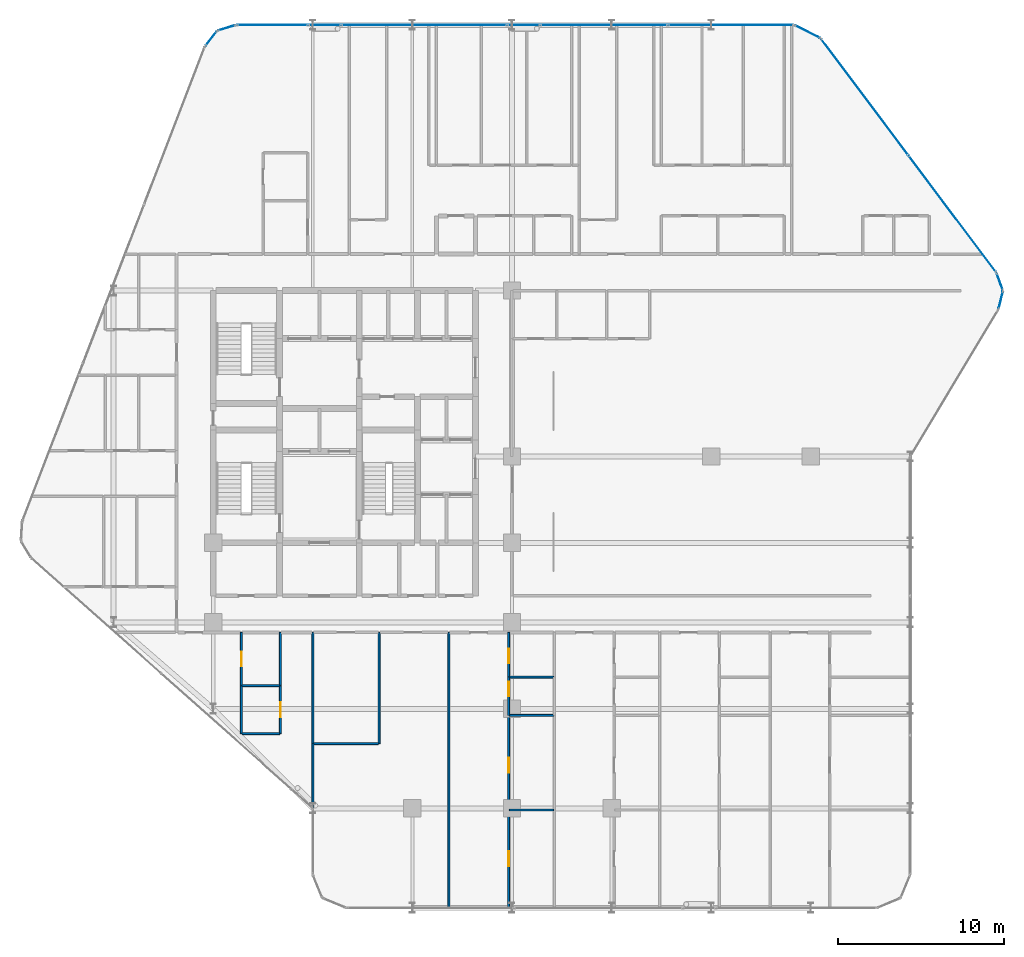
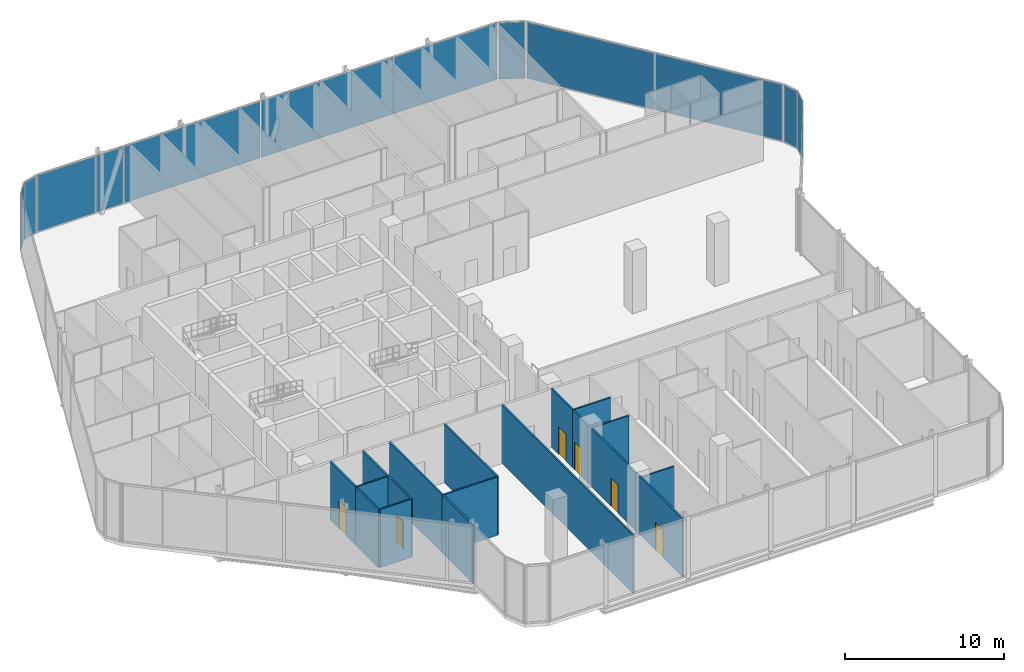
# One storey, part 22 of 29: 17 walls, 13 plates, 6 doors, 6 openings, 11 elements without a shape of their own.
"""IFC4 building model written with IfcOpenShell, lengths in metres."""

from ifc_helpers import new_model, si_unit, direction, frame, frame_2d, origin, origin_2d, place, context, subcontext, project, spatial, rectangle, extrude, material, layer, layer_set, type_object, element, fill, aggregate, save


model = new_model("IFC4")

# Units and contexts
model_context = context("Model", 3, precision=1e-05, world=origin(), true_north=direction((0.0, 1.0)))
body_context = subcontext(model_context, "Body", "Model", "MODEL_VIEW")
ifc_project = project(units=[si_unit("LENGTHUNIT", "METRE"), si_unit("AREAUNIT", "SQUARE_METRE"), si_unit("VOLUMEUNIT", "CUBIC_METRE"), si_unit("PLANEANGLEUNIT", "RADIAN"), si_unit("MASSUNIT", "GRAM", prefix="KILO")], contexts=[model_context])

# Site, building, storey
site_placement = place(None, origin())
site = spatial("IfcSite", under=ifc_project, at=site_placement, CompositionType="ELEMENT")
building_placement = place(site_placement, origin())
building = spatial("IfcBuilding", under=site, at=building_placement, Name="Keshet Zoharim Tower", CompositionType="ELEMENT")
storey_placement = place(building_placement, frame((0.0, 0.0, 120.5)))
storey = spatial("IfcBuildingStorey", under=building, at=storey_placement, Name="L29", CompositionType="ELEMENT", Elevation=120.5)

# Curtain wall, plate
ifc_material_1 = material(Name="Aluminium 6063-T6", Category="aluminium")
ifc_layer_1 = layer(ifc_material_1, 0.14990234375)
ifc_layer_set_1 = layer_set([ifc_layer_1], Name="Aluminium 6063-T6")
curtain_wall_type = type_object("IfcCurtainWallType", Name="CW-SYS-04", PredefinedType="NOTDEFINED", material=ifc_layer_set_1)
curtain_wall_1_placement = place(storey_placement, origin())
curtain_wall_1 = element("IfcCurtainWall", 1, at=curtain_wall_1_placement, inside=storey, type_object=curtain_wall_type, Name="L29 Unitised Curtain Wall 11", PredefinedType="NOTDEFINED")
ifc_material_2 = material(Name="Insulated Low-E Clear Glass", Category="glass")
ifc_layer_2 = layer(ifc_material_2, 0.035888671875)
ifc_layer_set_2 = layer_set([ifc_layer_2], Name="Insulated Low-E Clear Glass")
plate_type_1 = type_object("IfcPlateType", Name="CWP-01", PredefinedType="CURTAIN_PANEL", material=ifc_layer_set_2)
plate_1_placement = place(storey_placement, frame((14.8740234375, 53.08349609375, 0.06982421875), z_axis=(0.0, 0.0, 1.0), x_axis=(0.619124525989, 0.785292825205, 0.0)))
plate_1 = element("IfcPlate", 2, at=plate_1_placement, type_object=plate_type_1, Name="CW-04 panel 1.1", PredefinedType="CURTAIN_PANEL", context=body_context, shape_type="SweptSolid", body=[
    extrude(rectangle(XDim=1.045654296875, YDim=0.035888671875, at=origin_2d()), origin(), (0.0, 0.0, 1.0), 4.340087890625),
])
aggregate(curtain_wall_1, [plate_1])

curtain_wall_2_placement = place(storey_placement, origin())
curtain_wall_2 = element("IfcCurtainWall", 3, at=curtain_wall_2_placement, inside=storey, type_object=curtain_wall_type, Name="L29 Unitised Curtain Wall 12", PredefinedType="NOTDEFINED")
plate_2_placement = place(storey_placement, frame((15.8076171875, 53.724609375, 0.06982421875), z_axis=(0.0, 0.0, 1.0), x_axis=(0.955212151288, 0.295921857984, 0.0)))
plate_2 = element("IfcPlate", 4, at=plate_2_placement, type_object=plate_type_1, Name="CW-04 panel 1.1", PredefinedType="CURTAIN_PANEL", context=body_context, shape_type="SweptSolid", body=[
    extrude(rectangle(XDim=1.046142578125, YDim=0.035888671875, at=origin_2d()), origin(), (0.0, 0.0, 1.0), 4.340087890625),
])
aggregate(curtain_wall_2, [plate_2])

curtain_wall_3_placement = place(storey_placement, origin())
curtain_wall_3 = element("IfcCurtainWall", 5, at=curtain_wall_3_placement, inside=storey, type_object=curtain_wall_type, Name="L29 Unitised Curtain Wall 13", PredefinedType="NOTDEFINED")
plate_3_placement = place(storey_placement, frame((18.560302734375, 53.89990234375, 0.06982421875), z_axis=(0.0, 0.0, 1.0), x_axis=(1.0, 0.0, 0.0)))
plate_3 = element("IfcPlate", 6, at=plate_3_placement, type_object=plate_type_1, Name="CW-04 panel 1.1", PredefinedType="CURTAIN_PANEL", context=body_context, shape_type="SweptSolid", body=[
    extrude(rectangle(XDim=4.232421875, YDim=0.035888671875, at=origin_2d()), origin(), (0.0, 0.0, 1.0), 4.340087890625),
])
aggregate(curtain_wall_3, [plate_3])

curtain_wall_4_placement = place(storey_placement, origin())
curtain_wall_4 = element("IfcCurtainWall", 7, at=curtain_wall_4_placement, inside=storey, type_object=curtain_wall_type, Name="L29 Unitised Curtain Wall 13 Part 3", PredefinedType="NOTDEFINED")
plate_4_placement = place(storey_placement, frame((27.715087890625, 53.89990234375, 0.06982421875), z_axis=(0.0, 0.0, 1.0), x_axis=(1.0, 0.0, 0.0)))
plate_4 = element("IfcPlate", 8, at=plate_4_placement, type_object=plate_type_1, Name="CW-04 panel 1.1", PredefinedType="CURTAIN_PANEL", context=body_context, shape_type="SweptSolid", body=[
    extrude(rectangle(XDim=9.9228515625, YDim=0.035888671875, at=origin_2d()), origin(), (0.0, 0.0, 1.0), 4.340087890625),
])
aggregate(curtain_wall_4, [plate_4])

# Curtain wall, plates
curtain_wall_5_placement = place(storey_placement, origin())
curtain_wall_5 = element("IfcCurtainWall", 9, at=curtain_wall_5_placement, inside=storey, type_object=curtain_wall_type, Name="L29 Unitised Curtain Wall 13 Part 5", PredefinedType="NOTDEFINED")
plate_5_placement = place(storey_placement, frame((38.547607421875, 53.89990234375, 0.06982421875), z_axis=(0.0, 0.0, 1.0), x_axis=(1.0, 0.0, 0.0)))
plate_5 = element("IfcPlate", 10, at=plate_5_placement, type_object=plate_type_1, Name="CW-04 panel 1.1", PredefinedType="CURTAIN_PANEL", context=body_context, shape_type="SweptSolid", body=[
    extrude(rectangle(XDim=7.588134765625, YDim=0.035888671875, at=origin_2d()), origin(), (0.0, 0.0, 1.0), 4.340087890625),
])
plate_6_placement = place(storey_placement, frame((46.1708984375, 53.89990234375, 0.06982421875), z_axis=(0.0, 0.0, 1.0), x_axis=(1.0, 0.0, 0.0)))
plate_6 = element("IfcPlate", 11, at=plate_6_placement, type_object=plate_type_1, Name="CW-04 panel 2.1", PredefinedType="CURTAIN_PANEL", context=body_context, shape_type="SweptSolid", body=[
    extrude(rectangle(XDim=7.518310546875, YDim=0.035888671875, at=origin_2d()), origin(), (0.0, 0.0, 1.0), 4.340087890625),
])
aggregate(curtain_wall_5, [plate_5, plate_6])

# Curtain wall, plate
curtain_wall_6_placement = place(storey_placement, origin())
curtain_wall_6 = element("IfcCurtainWall", 12, at=curtain_wall_6_placement, inside=storey, type_object=curtain_wall_type, Name="L29 Unitised Curtain Wall 14", PredefinedType="NOTDEFINED")
plate_7_placement = place(storey_placement, frame((50.800048828125, 53.5, 0.06982421875), z_axis=(0.0, 0.0, 1.0), x_axis=(0.894427191001, -0.447213595499, 0.0)))
plate_7 = element("IfcPlate", 13, at=plate_7_placement, type_object=plate_type_1, Name="CW-04 panel 1.1", PredefinedType="CURTAIN_PANEL", context=body_context, shape_type="SweptSolid", body=[
    extrude(rectangle(XDim=1.64892578125, YDim=0.035888671875, at=origin_2d()), origin(), (0.0, 0.0, 1.0), 4.340087890625),
])
aggregate(curtain_wall_6, [plate_7])

# Curtain wall, plates
curtain_wall_7_placement = place(storey_placement, origin())
curtain_wall_7 = element("IfcCurtainWall", 14, at=curtain_wall_7_placement, inside=storey, type_object=curtain_wall_type, Name="L29 Unitised Curtain Wall 15", PredefinedType="NOTDEFINED")
plate_8_placement = place(storey_placement, frame((54.2587890625, 49.554931640625, 0.06982421875), z_axis=(0.0, 0.0, 1.0), x_axis=(0.600000000002, -0.799999999998, 0.0)))
plate_8 = element("IfcPlate", 15, at=plate_8_placement, type_object=plate_type_1, Name="CW-04 panel 1.1", PredefinedType="CURTAIN_PANEL", context=body_context, shape_type="SweptSolid", body=[
    extrude(rectangle(XDim=8.722412109375, YDim=0.035888671875, at=origin_2d()), origin(), (0.0, 0.0, 1.0), 4.340087890625),
])
plate_9_placement = place(storey_placement, frame((59.5341796875, 42.52099609375, 0.06982421875), z_axis=(0.0, 0.0, 1.0), x_axis=(0.600000000002, -0.799999999998, 0.0)))
plate_9 = element("IfcPlate", 16, at=plate_9_placement, type_object=plate_type_1, Name="CW-04 panel 2.1", PredefinedType="CURTAIN_PANEL", context=body_context, shape_type="SweptSolid", body=[
    extrude(rectangle(XDim=8.722412109375, YDim=0.035888671875, at=origin_2d()), origin(), (0.0, 0.0, 1.0), 4.340087890625),
])
aggregate(curtain_wall_7, [plate_8, plate_9])

# Curtain wall, plate
curtain_wall_8_placement = place(storey_placement, origin())
curtain_wall_8 = element("IfcCurtainWall", 17, at=curtain_wall_8_placement, inside=storey, type_object=curtain_wall_type, Name="L29 Unitised Curtain Wall 16", PredefinedType="NOTDEFINED")
plate_10_placement = place(storey_placement, frame((62.3916015625, 38.427490234375, 0.06982421875), z_axis=(0.0, 0.0, 1.0), x_axis=(0.340297354046, -0.940317877544, 0.0)))
plate_10 = element("IfcPlate", 18, at=plate_10_placement, type_object=plate_type_1, Name="CW-04 panel 1.1", PredefinedType="CURTAIN_PANEL", context=body_context, shape_type="SweptSolid", body=[
    extrude(rectangle(XDim=1.026611328125, YDim=0.035888671875, at=origin_2d()), origin(), (0.0, 0.0, 1.0), 4.340087890625),
])
aggregate(curtain_wall_8, [plate_10])

curtain_wall_9_placement = place(storey_placement, origin())
curtain_wall_9 = element("IfcCurtainWall", 19, at=curtain_wall_9_placement, inside=storey, type_object=curtain_wall_type, Name="L29 Unitised Curtain Wall 17", PredefinedType="NOTDEFINED")
plate_11_placement = place(storey_placement, frame((62.448974609375, 37.31298828125, 0.06982421875), z_axis=(0.0, 0.0, 1.0), x_axis=(-0.241728770141, -0.970343857447, 0.0)))
plate_11 = element("IfcPlate", 20, at=plate_11_placement, type_object=plate_type_1, Name="CW-04 panel 1.1", PredefinedType="CURTAIN_PANEL", context=body_context, shape_type="SweptSolid", body=[
    extrude(rectangle(XDim=1.026611328125, YDim=0.035888671875, at=origin_2d()), origin(), (0.0, 0.0, 1.0), 4.340087890625),
])
aggregate(curtain_wall_9, [plate_11])

curtain_wall_10_placement = place(storey_placement, origin())
curtain_wall_10 = element("IfcCurtainWall", 21, at=curtain_wall_10_placement, inside=storey, type_object=curtain_wall_type, Name="L29 Unitised Curtain Wall 13 Part 2", PredefinedType="NOTDEFINED")
ifc_material_3 = material(Name="Insulated Aluminium Spandrel Panel", Category="aluminium")
ifc_layer_3 = layer(ifc_material_3, 0.035888671875)
ifc_layer_set_3 = layer_set([ifc_layer_3], Name="Insulated Aluminium Spandrel Panel")
plate_type_2 = type_object("IfcPlateType", Name="CWP-04", PredefinedType="CURTAIN_PANEL", material=ifc_layer_set_3)
plate_12_placement = place(storey_placement, frame((21.715087890625, 53.89990234375, 0.06982421875), z_axis=(0.0, 0.0, 1.0), x_axis=(1.0, 0.0, 0.0)))
plate_12 = element("IfcPlate", 22, at=plate_12_placement, type_object=plate_type_2, Name="CW-04 spandrel panel 1.1", PredefinedType="CURTAIN_PANEL", context=body_context, shape_type="SweptSolid", body=[
    extrude(rectangle(XDim=1.937255859375, YDim=0.035888671875, at=origin_2d()), origin(), (0.0, 0.0, 1.0), 4.340087890625),
])
aggregate(curtain_wall_10, [plate_12])

curtain_wall_11_placement = place(storey_placement, origin())
curtain_wall_11 = element("IfcCurtainWall", 23, at=curtain_wall_11_placement, inside=storey, type_object=curtain_wall_type, Name="L29 Unitised Curtain Wall 13 Part 4", PredefinedType="NOTDEFINED")
plate_13_placement = place(storey_placement, frame((33.715087890625, 53.89990234375, 0.06982421875), z_axis=(0.0, 0.0, 1.0), x_axis=(1.0, 0.0, 0.0)))
plate_13 = element("IfcPlate", 24, at=plate_13_placement, type_object=plate_type_2, Name="CW-04 spandrel panel 1.1", PredefinedType="CURTAIN_PANEL", context=body_context, shape_type="SweptSolid", body=[
    extrude(rectangle(XDim=1.937255859375, YDim=0.035888671875, at=origin_2d()), origin(), (0.0, 0.0, 1.0), 4.340087890625),
])
aggregate(curtain_wall_11, [plate_13])

# Wall, opening, door
ifc_material_4 = material(Name="Gypsum Plasterboard", Category="gypsum")
ifc_layer_4 = layer(ifc_material_4, 0.1201171875)
ifc_layer_set_4 = layer_set([ifc_layer_4], Name="Gypsum Plasterboard")
wall_type_1 = type_object("IfcWallType", Name="WL-PART-120", PredefinedType="PARTITIONING", material=ifc_layer_set_4)
wall_1_placement = place(storey_placement, frame((16.699951171875, 14.10009765625, 0.0), z_axis=(0.0, 0.0, 1.0), x_axis=(0.0, 1.0, 0.0)))
wall_1 = element("IfcWall", 25, at=wall_1_placement, inside=storey, type_object=wall_type_1, Name="L29 Interior Wall 018", PredefinedType="PARTITIONING", context=body_context, shape_type="SweptSolid", body=[
    extrude(rectangle(XDim=3.199951171875, YDim=0.1201171875, at=frame_2d((1.60009765625, 0.0))), origin(), (0.0, 0.0, 1.0), 4.47998046875),
])
opening_1_placement = place(wall_1_placement, frame((1.14990234375, 0.0, 0.0)))
opening_1 = element("IfcOpeningElement", 26, at=opening_1_placement, cuts=wall_1, Name="Opening D-IN90", PredefinedType="OPENING", context=body_context, shape_type="SweptSolid", body=[
    extrude(rectangle(XDim=0.89990234375, YDim=2.14990234375, at=frame_2d((0.449951171875, 1.074951171875))), frame((0.0, 0.070068359375, 0.0), z_axis=(0.0, -1.0, 0.0), x_axis=(1.0, 0.0, 0.0)), (0.0, 0.0, 1.0), 0.14013671875),
])
ifc_material_5 = material(Name="Hardwood Timber", Category="wood")
door_type_1 = type_object("IfcDoorType", Name="DR-INT-090", OperationType="NOTDEFINED", PredefinedType="DOOR", material=ifc_material_5)
door_1_placement = place(opening_1_placement, origin())
door_1 = element("IfcDoor", 27, at=door_1_placement, inside=storey, type_object=door_type_1, Name="Apartment 2901 Kitchenette Door", OperationType="SINGLE_SWING_RIGHT", OverallHeight=2.14990234375, OverallWidth=0.89990234375, PredefinedType="DOOR", context=body_context, shape_type="SweptSolid", body=[
    extrude(rectangle(XDim=0.89990234375, YDim=2.14990234375, at=frame_2d((0.449951171875, 1.074951171875))), frame((0.0, 0.02490234375, 0.0), z_axis=(0.0, -1.0, 0.0), x_axis=(1.0, 0.0, 0.0)), (0.0, 0.0, 1.0), 0.050048828125),
])
fill(opening_1, door_1)

# Walls
wall_2_placement = place(storey_placement, frame((19.050048828125, 14.10009765625, 0.0), z_axis=(0.0, 0.0, 1.0), x_axis=(0.0, 1.0, 0.0)))
element("IfcWall", 28, at=wall_2_placement, inside=storey, type_object=wall_type_1, Name="L29 Interior Wall 027", PredefinedType="PARTITIONING", context=body_context, shape_type="SweptSolid", body=[
    extrude(rectangle(XDim=3.199951171875, YDim=0.1201171875, at=frame_2d((1.60009765625, 0.0))), origin(), (0.0, 0.0, 1.0), 4.47998046875),
])
wall_3_placement = place(storey_placement, frame((21.0, 6.7099609375, 0.0), z_axis=(0.0, 0.0, 1.0), x_axis=(0.0, 1.0, 0.0)))
element("IfcWall", 29, at=wall_3_placement, inside=storey, type_object=wall_type_1, Name="L29 Interior Wall 030", PredefinedType="PARTITIONING", context=body_context, shape_type="SweptSolid", body=[
    extrude(rectangle(XDim=3.89013671875, YDim=0.1201171875, at=frame_2d((1.945068359375, 0.0))), origin(), (0.0, 0.0, 1.0), 4.47998046875),
])
for number, where, z_axis, x_axis, name in (
    (30, (21.0, 10.60009765625, 0.0), (0.0, 0.0, 1.0), (0.0, 1.0, 0.0), "L29 Interior Wall 031"),
    (31, (25.0, 10.60009765625, 0.0), (0.0, 0.0, 1.0), (0.0, 1.0, 0.0), "L29 Interior Wall 043"),
):
    element("IfcWall", number, at=place(storey_placement, frame(where, z_axis=z_axis, x_axis=x_axis)), inside=storey, type_object=wall_type_1, Name=name, PredefinedType="PARTITIONING", context=body_context, shape_type="SweptSolid", body=[
        extrude(rectangle(XDim=6.699951171875, YDim=0.1201171875, at=frame_2d((3.35009765625, 0.0))), origin(), (0.0, 0.0, 1.0), 4.47998046875),
    ])
wall_4_placement = place(storey_placement, frame((29.199951171875, 0.7099609375, 0.0), z_axis=(0.0, 0.0, 1.0), x_axis=(0.0, 1.0, 0.0)))
element("IfcWall", 32, at=wall_4_placement, inside=storey, type_object=wall_type_1, Name="L29 Interior Wall 059", PredefinedType="PARTITIONING", context=body_context, shape_type="SweptSolid", body=[
    extrude(rectangle(XDim=16.590087890625, YDim=0.1201171875, at=frame_2d((8.294921875, 0.0))), origin(), (0.0, 0.0, 1.0), 4.47998046875),
])

# Wall, openings, doors
wall_5_placement = place(storey_placement, frame((32.800048828125, 0.7099609375, 0.0), z_axis=(0.0, 0.0, 1.0), x_axis=(0.0, 1.0, 0.0)))
wall_5 = element("IfcWall", 33, at=wall_5_placement, inside=storey, type_object=wall_type_1, Name="L29 Interior Wall 068", PredefinedType="PARTITIONING", context=body_context, shape_type="SweptSolid", body=[
    extrude(rectangle(XDim=11.590087890625, YDim=0.1201171875, at=frame_2d((5.794921875, 0.0))), origin(), (0.0, 0.0, 1.0), 4.47998046875),
])
opening_2_placement = place(wall_5_placement, frame((2.489990234375, 0.0, 0.0)))
opening_2 = element("IfcOpeningElement", 34, at=opening_2_placement, cuts=wall_5, Name="Opening D-IN90", PredefinedType="OPENING", context=body_context, shape_type="SweptSolid", body=[
    extrude(rectangle(XDim=0.89990234375, YDim=2.14990234375, at=frame_2d((0.449951171875, 1.074951171875))), frame((0.0, 0.070068359375, 0.0), z_axis=(0.0, -1.0, 0.0), x_axis=(1.0, 0.0, 0.0)), (0.0, 0.0, 1.0), 0.14013671875),
])
opening_3_placement = place(wall_5_placement, frame((8.133056640625, 0.0, 0.0)))
opening_3 = element("IfcOpeningElement", 35, at=opening_3_placement, cuts=wall_5, Name="Opening D-IN90", PredefinedType="OPENING", context=body_context, shape_type="SweptSolid", body=[
    extrude(rectangle(XDim=0.89990234375, YDim=2.14990234375, at=frame_2d((0.449951171875, 1.074951171875))), frame((0.0, 0.070068359375, 0.0), z_axis=(0.0, -1.0, 0.0), x_axis=(1.0, 0.0, 0.0)), (0.0, 0.0, 1.0), 0.14013671875),
])
door_2_placement = place(opening_2_placement, origin())
door_2 = element("IfcDoor", 36, at=door_2_placement, inside=storey, type_object=door_type_1, Name="Apartment 2902 Bedroom 1 Door", OperationType="SINGLE_SWING_RIGHT", OverallHeight=2.14990234375, OverallWidth=0.89990234375, PredefinedType="DOOR", context=body_context, shape_type="SweptSolid", body=[
    extrude(rectangle(XDim=0.89990234375, YDim=2.14990234375, at=frame_2d((0.449951171875, 1.074951171875))), frame((0.0, 0.02490234375, 0.0), z_axis=(0.0, -1.0, 0.0), x_axis=(1.0, 0.0, 0.0)), (0.0, 0.0, 1.0), 0.050048828125),
])
fill(opening_2, door_2)
door_3_placement = place(opening_3_placement, origin())
door_3 = element("IfcDoor", 37, at=door_3_placement, inside=storey, type_object=door_type_1, Name="Apartment 2902 Bedroom 2 Door", OperationType="SINGLE_SWING_LEFT", OverallHeight=2.14990234375, OverallWidth=0.89990234375, PredefinedType="DOOR", context=body_context, shape_type="SweptSolid", body=[
    extrude(rectangle(XDim=0.89990234375, YDim=2.14990234375, at=frame_2d((0.449951171875, 1.074951171875))), frame((0.0, 0.02490234375, 0.0), z_axis=(0.0, -1.0, 0.0), x_axis=(1.0, 0.0, 0.0)), (0.0, 0.0, 1.0), 0.050048828125),
])
fill(opening_3, door_3)

# Wall, opening, door
wall_6_placement = place(storey_placement, frame((32.800048828125, 12.300048828125, 0.0), z_axis=(0.0, 0.0, 1.0), x_axis=(0.0, 1.0, 0.0)))
wall_6 = element("IfcWall", 38, at=wall_6_placement, inside=storey, type_object=wall_type_1, Name="L29 Interior Wall 069", PredefinedType="PARTITIONING", context=body_context, shape_type="SweptSolid", body=[
    extrude(rectangle(XDim=2.300048828125, YDim=0.1201171875, at=frame_2d((1.14990234375, 0.0))), origin(), (0.0, 0.0, 1.0), 4.47998046875),
])
opening_4_placement = place(wall_6_placement, frame((1.14208984375, 0.0, 0.0)))
opening_4 = element("IfcOpeningElement", 39, at=opening_4_placement, cuts=wall_6, Name="Opening D-IN90", PredefinedType="OPENING", context=body_context, shape_type="SweptSolid", body=[
    extrude(rectangle(XDim=0.89990234375, YDim=2.14990234375, at=frame_2d((0.449951171875, 1.074951171875))), frame((0.0, 0.070068359375, 0.0), z_axis=(0.0, -1.0, 0.0), x_axis=(1.0, 0.0, 0.0)), (0.0, 0.0, 1.0), 0.14013671875),
])
door_4_placement = place(opening_4_placement, origin())
door_4 = element("IfcDoor", 40, at=door_4_placement, inside=storey, type_object=door_type_1, Name="Apartment 2902 Kitchen Door", OperationType="SINGLE_SWING_RIGHT", OverallHeight=2.14990234375, OverallWidth=0.89990234375, PredefinedType="DOOR", context=body_context, shape_type="SweptSolid", body=[
    extrude(rectangle(XDim=0.89990234375, YDim=2.14990234375, at=frame_2d((0.449951171875, 1.074951171875))), frame((0.0, 0.02490234375, 0.0), z_axis=(0.0, -1.0, 0.0), x_axis=(1.0, 0.0, 0.0)), (0.0, 0.0, 1.0), 0.050048828125),
])
fill(opening_4, door_4)

# Walls
wall_7_placement = place(storey_placement, frame((32.844970703125, 6.60009765625, 0.0), z_axis=(0.0, 0.0, 1.0), x_axis=(1.0, 0.0, 0.0)))
element("IfcWall", 41, at=wall_7_placement, inside=storey, type_object=wall_type_1, Name="L29 Interior Wall 115", PredefinedType="PARTITIONING", context=body_context, shape_type="SweptSolid", body=[
    extrude(rectangle(XDim=2.669921875, YDim=0.1201171875, at=frame_2d((1.3349609375, 0.0))), origin(), (0.0, 0.0, 1.0), 4.030029296875),
])
wall_8_placement = place(storey_placement, frame((21.044921875, 10.60009765625, 0.0), z_axis=(0.0, 0.0, 1.0), x_axis=(1.0, 0.0, 0.0)))
element("IfcWall", 42, at=wall_8_placement, inside=storey, type_object=wall_type_1, Name="L29 Interior Wall 119", PredefinedType="PARTITIONING", context=body_context, shape_type="SweptSolid", body=[
    extrude(rectangle(XDim=3.91015625, YDim=0.1201171875, at=frame_2d((1.955078125, 0.0))), origin(), (0.0, 0.0, 1.0), 4.47998046875),
])
wall_9_placement = place(storey_placement, frame((32.844970703125, 12.300048828125, 0.0), z_axis=(0.0, 0.0, 1.0), x_axis=(1.0, 0.0, 0.0)))
element("IfcWall", 43, at=wall_9_placement, inside=storey, type_object=wall_type_1, Name="L29 Interior Wall 121", PredefinedType="PARTITIONING", context=body_context, shape_type="SweptSolid", body=[
    extrude(rectangle(XDim=2.669921875, YDim=0.1201171875, at=frame_2d((1.3349609375, 0.0))), origin(), (0.0, 0.0, 1.0), 4.47998046875),
])
ifc_layer_5 = layer(ifc_material_4, 0.1201171875)
ifc_layer_set_5 = layer_set([ifc_layer_5], Name="Gypsum Plasterboard")
wall_type_2 = type_object("IfcWallType", Name="WL-WET-120", PredefinedType="PARTITIONING", material=ifc_layer_set_5)
wall_10_placement = place(storey_placement, frame((16.699951171875, 11.199951171875, 0.0), z_axis=(0.0, 0.0, 1.0), x_axis=(0.0, 1.0, 0.0)))
element("IfcWall", 44, at=wall_10_placement, inside=storey, type_object=wall_type_2, Name="L29 Interior Wall 017", PredefinedType="PARTITIONING", context=body_context, shape_type="SweptSolid", body=[
    extrude(rectangle(XDim=2.900146484375, YDim=0.1201171875, at=frame_2d((1.4501953125, 0.0))), origin(), (0.0, 0.0, 1.0), 4.47998046875),
])

# Wall, opening, door
wall_11_placement = place(storey_placement, frame((19.050048828125, 11.199951171875, 0.0), z_axis=(0.0, 0.0, 1.0), x_axis=(0.0, 1.0, 0.0)))
wall_11 = element("IfcWall", 45, at=wall_11_placement, inside=storey, type_object=wall_type_2, Name="L29 Interior Wall 026", PredefinedType="PARTITIONING", context=body_context, shape_type="SweptSolid", body=[
    extrude(rectangle(XDim=2.900146484375, YDim=0.1201171875, at=frame_2d((1.4501953125, 0.0))), origin(), (0.0, 0.0, 1.0), 4.47998046875),
])
opening_5_placement = place(wall_11_placement, frame((1.0, 0.0, 0.0)))
opening_5 = element("IfcOpeningElement", 46, at=opening_5_placement, cuts=wall_11, Name="Opening D-WT90", PredefinedType="OPENING", context=body_context, shape_type="SweptSolid", body=[
    extrude(rectangle(XDim=0.89990234375, YDim=2.10009765625, at=frame_2d((0.449951171875, 1.050048828125))), frame((0.0, 0.070068359375, 0.0), z_axis=(0.0, -1.0, 0.0), x_axis=(1.0, 0.0, 0.0)), (0.0, 0.0, 1.0), 0.14013671875),
])
door_type_2 = type_object("IfcDoorType", Name="DR-WET-090", OperationType="NOTDEFINED", PredefinedType="DOOR", material=ifc_material_5)
door_5_placement = place(opening_5_placement, origin())
door_5 = element("IfcDoor", 47, at=door_5_placement, inside=storey, type_object=door_type_2, Name="Apartment 2901 Bathroom Door", OperationType="SINGLE_SWING_RIGHT", OverallHeight=2.10009765625, OverallWidth=0.89990234375, PredefinedType="DOOR", context=body_context, shape_type="SweptSolid", body=[
    extrude(rectangle(XDim=0.89990234375, YDim=2.10009765625, at=frame_2d((0.449951171875, 1.050048828125))), frame((0.0, 0.02490234375, 0.0), z_axis=(0.0, -1.0, 0.0), x_axis=(1.0, 0.0, 0.0)), (0.0, 0.0, 1.0), 0.050048828125),
])
fill(opening_5, door_5)

wall_12_placement = place(storey_placement, frame((32.800048828125, 14.60009765625, 0.0), z_axis=(0.0, 0.0, 1.0), x_axis=(0.0, 1.0, 0.0)))
wall_12 = element("IfcWall", 48, at=wall_12_placement, inside=storey, type_object=wall_type_2, Name="L29 Interior Wall 070", PredefinedType="PARTITIONING", context=body_context, shape_type="SweptSolid", body=[
    extrude(rectangle(XDim=2.699951171875, YDim=0.1201171875, at=frame_2d((1.35009765625, 0.0))), origin(), (0.0, 0.0, 1.0), 4.47998046875),
])
opening_6_placement = place(wall_12_placement, frame((0.827880859375, 0.0, 0.0)))
opening_6 = element("IfcOpeningElement", 49, at=opening_6_placement, cuts=wall_12, Name="Opening D-WT90", PredefinedType="OPENING", context=body_context, shape_type="SweptSolid", body=[
    extrude(rectangle(XDim=0.89990234375, YDim=2.10009765625, at=frame_2d((0.449951171875, 1.050048828125))), frame((0.0, 0.070068359375, 0.0), z_axis=(0.0, -1.0, 0.0), x_axis=(1.0, 0.0, 0.0)), (0.0, 0.0, 1.0), 0.14013671875),
])
door_6_placement = place(opening_6_placement, origin())
door_6 = element("IfcDoor", 50, at=door_6_placement, inside=storey, type_object=door_type_2, Name="Apartment 2902 Bathroom Door", OperationType="SINGLE_SWING_LEFT", OverallHeight=2.10009765625, OverallWidth=0.89990234375, PredefinedType="DOOR", context=body_context, shape_type="SweptSolid", body=[
    extrude(rectangle(XDim=0.89990234375, YDim=2.10009765625, at=frame_2d((0.449951171875, 1.050048828125))), frame((0.0, 0.02490234375, 0.0), z_axis=(0.0, -1.0, 0.0), x_axis=(1.0, 0.0, 0.0)), (0.0, 0.0, 1.0), 0.050048828125),
])
fill(opening_6, door_6)

# Walls
for number, where, z_axis, x_axis, name in (
    (51, (16.7451171875, 11.199951171875, 0.0), (0.0, 0.0, 1.0), (1.0, 0.0, 0.0), "L29 Interior Wall 120"),
    (52, (16.7451171875, 14.10009765625, 0.0), (0.0, 0.0, 1.0), (1.0, 0.0, 0.0), "L29 Interior Wall 125"),
):
    element("IfcWall", number, at=place(storey_placement, frame(where, z_axis=z_axis, x_axis=x_axis)), inside=storey, type_object=wall_type_2, Name=name, PredefinedType="PARTITIONING", context=body_context, shape_type="SweptSolid", body=[
        extrude(rectangle(XDim=2.259765625, YDim=0.1201171875, at=frame_2d((1.1298828125, 0.0))), origin(), (0.0, 0.0, 1.0), 4.47998046875),
    ])
wall_13_placement = place(storey_placement, frame((32.844970703125, 14.60009765625, 0.0), z_axis=(0.0, 0.0, 1.0), x_axis=(1.0, 0.0, 0.0)))
element("IfcWall", 53, at=wall_13_placement, inside=storey, type_object=wall_type_2, Name="L29 Interior Wall 126", PredefinedType="PARTITIONING", context=body_context, shape_type="SweptSolid", body=[
    extrude(rectangle(XDim=2.669921875, YDim=0.1201171875, at=frame_2d((1.3349609375, 0.0))), origin(), (0.0, 0.0, 1.0), 4.47998046875),
])

save(model, "model.ifc")
